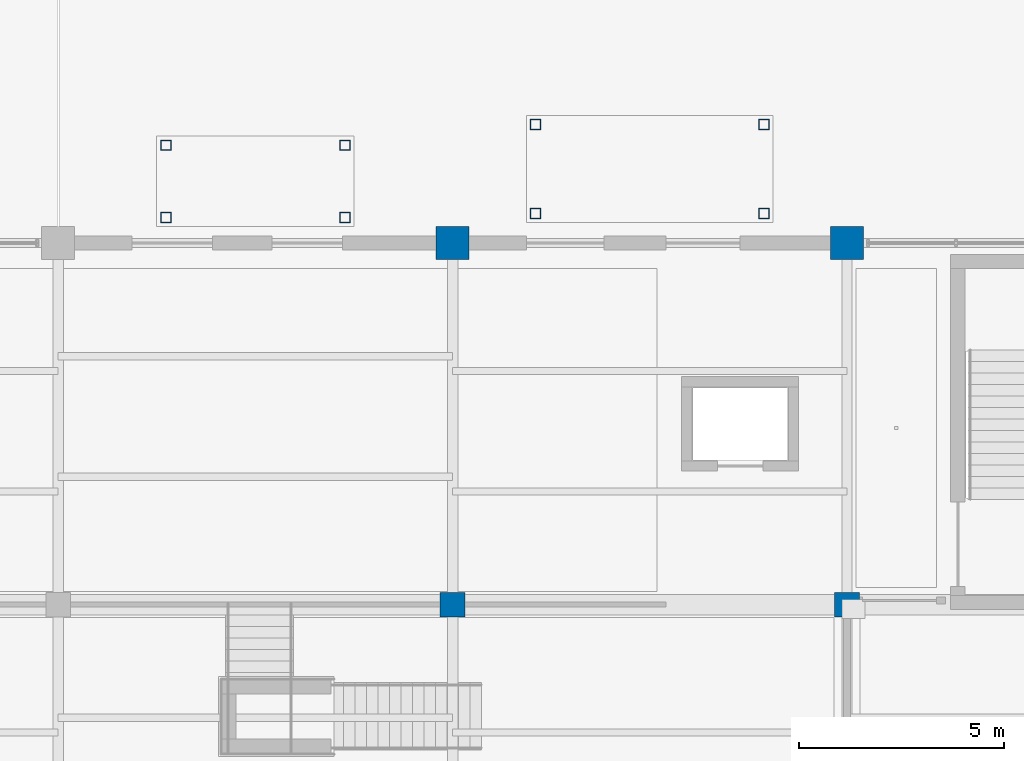
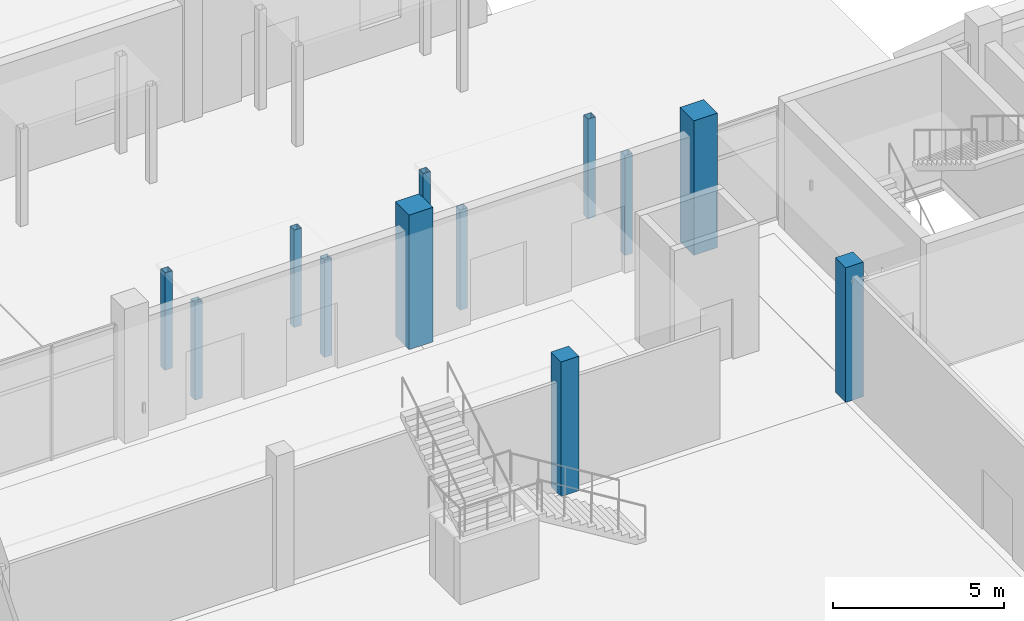
# One storey, part 7 of 116: 12 columns.
"""IFC4 building model written with IfcOpenShell, lengths in metres."""

from ifc_helpers import new_model, si_unit, direction, frame, origin, origin_2d, place, context, subcontext, project, spatial, rectangle, hollow_rectangle, extrude, material, material_profile, profile_set, type_object, element, save


model = new_model("IFC4")

# Units and contexts
model_context = context("Model", 3, precision=1e-05, world=origin(), true_north=direction((0.0, 1.0)))
body_context = subcontext(model_context, "Body", "Model", "MODEL_VIEW")
ifc_project = project(units=[si_unit("LENGTHUNIT", "METRE"), si_unit("AREAUNIT", "SQUARE_METRE"), si_unit("VOLUMEUNIT", "CUBIC_METRE"), si_unit("PLANEANGLEUNIT", "RADIAN"), si_unit("MASSUNIT", "GRAM", prefix="KILO")], contexts=[model_context])

# Site, building, storey
site_placement = place(None, origin())
site = spatial("IfcSite", under=ifc_project, at=site_placement, CompositionType="ELEMENT")
building_placement = place(site_placement, origin())
building = spatial("IfcBuilding", under=site, at=building_placement, Name="Chalmorin Arch Market", CompositionType="ELEMENT")
storey_placement = place(building_placement, origin())
storey = spatial("IfcBuildingStorey", under=building, at=storey_placement, Name="L00", CompositionType="ELEMENT", Elevation=0.0)

# Columns
ifc_material_1 = material(Name="Concrete C50/60", Category="concrete")
ifc_material_profile_1 = material_profile(ifc_material_1, rectangle(XDim=0.800048828125, YDim=0.800048828125, at=origin_2d()), Name="RC800X800")
ifc_profile_set_1 = profile_set([ifc_material_profile_1], Name="Concrete C50/60")
column_type_1 = type_object("IfcColumnType", Name="ArchPierColumn-800x800", PredefinedType="COLUMN", material=ifc_profile_set_1)
for number, where, z_axis, x_axis, name in (
    (1, (105.60009765625, 58.800048828125, 0.0), (0.0, 0.0, 1.0), (1.0, 0.0, 0.0), "C-AP1-551"),
    (2, (115.199951171875, 58.800048828125, 0.0), (0.0, 0.0, 1.0), (1.0, 0.0, 0.0), "C-AP1-606"),
):
    element("IfcColumn", number, at=place(storey_placement, frame(where, z_axis=z_axis, x_axis=x_axis)), inside=storey, type_object=column_type_1, Name=name, PredefinedType="COLUMN", context=body_context, shape_type="SweptSolid", body=[
        extrude(rectangle(XDim=0.800048828125, YDim=0.800048828125, at=origin_2d()), origin(), (0.0, 0.0, 1.0), 4.800048828125),
    ])
ifc_material_2 = material(Name="Concrete C40/50", Category="concrete")
ifc_material_profile_2 = material_profile(ifc_material_2, rectangle(XDim=0.60009765625, YDim=0.60009765625, at=origin_2d()), Name="RC600X600")
ifc_profile_set_2 = profile_set([ifc_material_profile_2], Name="Concrete C40/50")
column_type_2 = type_object("IfcColumnType", Name="InteriorConcreteColumn-600x600", PredefinedType="COLUMN", material=ifc_profile_set_2)
for number, where, z_axis, x_axis, name in (
    (3, (105.60009765625, 50.0, 0.0), (0.0, 0.0, 1.0), (1.0, 0.0, 0.0), "C-RC2-546"),
    (4, (115.199951171875, 50.0, 0.0), (0.0, 0.0, 1.0), (1.0, 0.0, 0.0), "C-RC2-601"),
):
    element("IfcColumn", number, at=place(storey_placement, frame(where, z_axis=z_axis, x_axis=x_axis)), inside=storey, type_object=column_type_2, Name=name, PredefinedType="COLUMN", context=body_context, shape_type="SweptSolid", body=[
        extrude(rectangle(XDim=0.60009765625, YDim=0.60009765625, at=origin_2d()), origin(), (0.0, 0.0, 1.0), 4.800048828125),
    ])
ifc_material_3 = material(Name="Steel A500 Grade C", Category="steel")
ifc_material_profile_3 = material_profile(ifc_material_3, hollow_rectangle(XDim=0.25390625, YDim=0.25390625, WallThickness=0.01171875, at=origin_2d()), Name="HSS10X10X1/2")
ifc_profile_set_3 = profile_set([ifc_material_profile_3], Name="Steel A500 Grade C")
column_type_3 = type_object("IfcColumnType", Name="SteelTubeColumn-HSS10X10", PredefinedType="COLUMN", material=ifc_profile_set_3)
for number, where, z_axis, x_axis, name in (
    (5, (98.6201171875, 59.419921875, 0.0), (0.0, 0.0, 1.0), (1.0, 0.0, 0.0), "C-CNP-031"),
    (6, (102.97998046875, 59.419921875, 0.0), (0.0, 0.0, 1.0), (1.0, 0.0, 0.0), "C-CNP-032"),
    (7, (102.97998046875, 61.179931640625, 0.0), (0.0, 0.0, 1.0), (1.0, 0.0, 0.0), "C-CNP-033"),
    (8, (98.6201171875, 61.179931640625, 0.0), (0.0, 0.0, 1.0), (1.0, 0.0, 0.0), "C-CNP-034"),
):
    element("IfcColumn", number, at=place(storey_placement, frame(where, z_axis=z_axis, x_axis=x_axis)), inside=storey, type_object=column_type_3, Name=name, PredefinedType="COLUMN", context=body_context, shape_type="SweptSolid", body=[
        extrude(hollow_rectangle(XDim=0.25390625, YDim=0.25390625, WallThickness=0.01171875, at=origin_2d()), origin(), (0.0, 0.0, 1.0), 3.469970703125),
    ])
for number, where, z_axis, x_axis, name in (
    (9, (107.6201171875, 59.52001953125, 0.0), (0.0, 0.0, 1.0), (1.0, 0.0, 0.0), "C-CNP-071"),
    (10, (113.179931640625, 59.52001953125, 0.0), (0.0, 0.0, 1.0), (1.0, 0.0, 0.0), "C-CNP-072"),
    (11, (113.179931640625, 61.679931640625, 0.0), (0.0, 0.0, 1.0), (1.0, 0.0, 0.0), "C-CNP-073"),
    (12, (107.6201171875, 61.679931640625, 0.0), (0.0, 0.0, 1.0), (1.0, 0.0, 0.0), "C-CNP-074"),
):
    element("IfcColumn", number, at=place(storey_placement, frame(where, z_axis=z_axis, x_axis=x_axis)), inside=storey, type_object=column_type_3, Name=name, PredefinedType="COLUMN", context=body_context, shape_type="SweptSolid", body=[
        extrude(hollow_rectangle(XDim=0.25390625, YDim=0.25390625, WallThickness=0.01171875, at=origin_2d()), origin(), (0.0, 0.0, 1.0), 3.56005859375),
    ])

save(model, "model.ifc")
